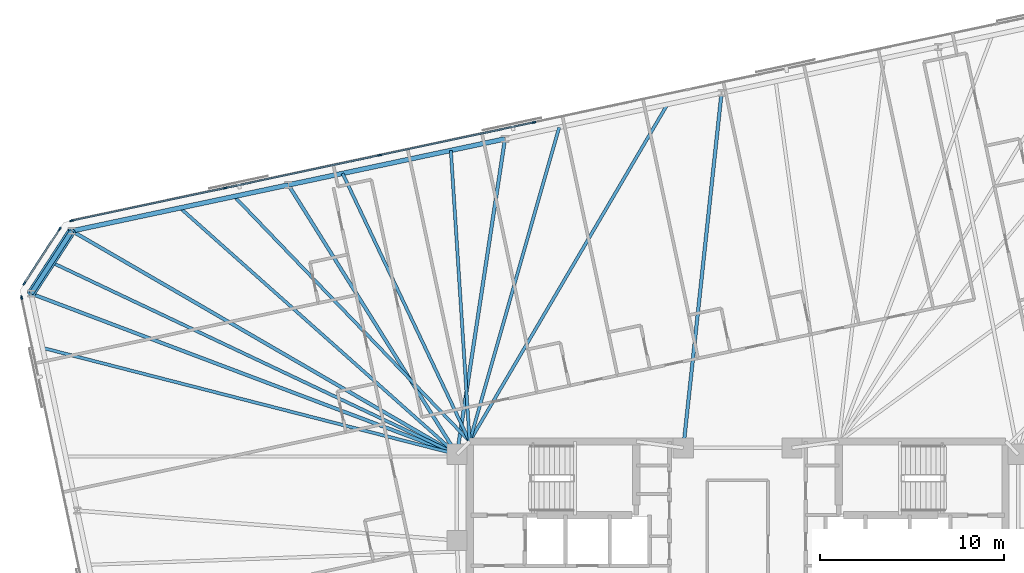
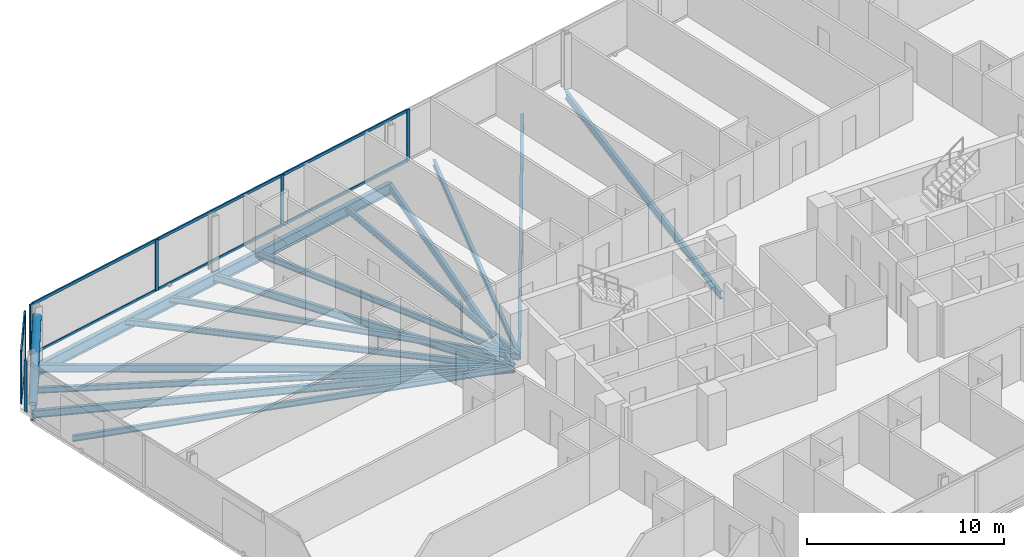
# One storey, part 9 of 21: 16 beams, 16 members, 3 elements without a shape of their own.
"""IFC4 building model written with IfcOpenShell, lengths in metres."""

from ifc_helpers import new_model, si_unit, direction, frame, origin, origin_2d, place, context, subcontext, project, spatial, rectangle, hollow_circle, i_section, extrude, material, material_profile, profile_set, type_object, element, aggregate, save


model = new_model("IFC4")

# Units and contexts
model_context = context("Model", 3, precision=1e-05, world=origin(), true_north=direction((0.0, 1.0)))
body_context = subcontext(model_context, "Body", "Model", "MODEL_VIEW")
ifc_project = project(units=[si_unit("LENGTHUNIT", "METRE"), si_unit("AREAUNIT", "SQUARE_METRE"), si_unit("VOLUMEUNIT", "CUBIC_METRE"), si_unit("PLANEANGLEUNIT", "RADIAN"), si_unit("MASSUNIT", "GRAM", prefix="KILO")], contexts=[model_context])

# Site, building, storey
site_placement = place(None, origin())
site = spatial("IfcSite", under=ifc_project, at=site_placement, CompositionType="ELEMENT")
building_placement = place(site_placement, origin())
building = spatial("IfcBuilding", under=site, at=building_placement, Name="Menara Jurai Vektor", CompositionType="ELEMENT")
storey_placement = place(building_placement, frame((0.0, 0.0, 165.0)))
storey = spatial("IfcBuildingStorey", under=building, at=storey_placement, Name="L42", CompositionType="ELEMENT", Elevation=165.0)

# Curtain wall, members
ifc_material_1 = material(Name="Anodised Pale Aluminium & Low-E Double Glazing", Category="aluminium")
curtain_wall_type = type_object("IfcCurtainWallType", Name="CW-BLK3", PredefinedType="NOTDEFINED", material=ifc_material_1)
curtain_wall_1_placement = place(storey_placement, origin())
curtain_wall_1 = element("IfcCurtainWall", 1, at=curtain_wall_1_placement, inside=storey, type_object=curtain_wall_type, Name="Unitised Curtain Wall L42 F05", PredefinedType="NOTDEFINED")
ifc_material_2 = material(Name="Anodised Pale Aluminium Mullion", Category="aluminium")
ifc_material_profile_1 = material_profile(ifc_material_2, rectangle(XDim=0.0849609375, YDim=0.205078125, at=origin_2d()), Name="ALU MUL 85x205")
ifc_profile_set_1 = profile_set([ifc_material_profile_1], Name="Anodised Pale Aluminium Mullion")
member_type_1 = type_object("IfcMemberType", Name="CW-BLK3-MUL", PredefinedType="MULLION", material=ifc_profile_set_1)
member_1_placement = place(storey_placement, frame((-11.06494140625, 22.9384765625, 0.0), z_axis=(0.0, 0.0, 1.0), x_axis=(0.207911344156, -0.978147674419, 0.0)))
member_1 = element("IfcMember", 2, at=member_1_placement, type_object=member_type_1, Name="CW-03 mullion 5", PredefinedType="MULLION", context=body_context, shape_type="SweptSolid", body=[
    extrude(rectangle(XDim=0.0849609375, YDim=0.205078125, at=origin_2d()), origin(), (0.0, 0.0, 1.0), 3.175048828125),
])
member_2_placement = place(storey_placement, frame((-19.45458984375, 21.1552734375, 0.0), z_axis=(0.0, 0.0, 1.0), x_axis=(0.207911344156, -0.978147674419, 0.0)))
member_2 = element("IfcMember", 3, at=member_2_placement, type_object=member_type_1, Name="CW-03 mullion 6", PredefinedType="MULLION", context=body_context, shape_type="SweptSolid", body=[
    extrude(rectangle(XDim=0.0849609375, YDim=0.205078125, at=origin_2d()), origin(), (0.0, 0.0, 1.0), 3.175048828125),
])
member_3_placement = place(storey_placement, frame((-27.844482421875, 19.3720703125, 0.0), z_axis=(0.0, 0.0, 1.0), x_axis=(0.207911344156, -0.978147674419, 0.0)))
member_3 = element("IfcMember", 4, at=member_3_placement, type_object=member_type_1, Name="CW-03 mullion 7", PredefinedType="MULLION", context=body_context, shape_type="SweptSolid", body=[
    extrude(rectangle(XDim=0.0849609375, YDim=0.205078125, at=origin_2d()), origin(), (0.0, 0.0, 1.0), 3.175048828125),
])
member_4_placement = place(storey_placement, frame((-36.192626953125, 17.59765625, 0.0), z_axis=(0.0, 0.0, 1.0), x_axis=(0.207911344156, -0.978147674419, 0.0)))
member_4 = element("IfcMember", 5, at=member_4_placement, type_object=member_type_1, Name="CW-03 mullion 8", PredefinedType="MULLION", context=body_context, shape_type="SweptSolid", body=[
    extrude(rectangle(XDim=0.0849609375, YDim=0.205078125, at=origin_2d()), origin(), (0.0, 0.0, 1.0), 3.175048828125),
])

curtain_wall_2_placement = place(storey_placement, origin())
curtain_wall_2 = element("IfcCurtainWall", 6, at=curtain_wall_2_placement, inside=storey, type_object=curtain_wall_type, Name="Unitised Curtain Wall L42 F06", PredefinedType="NOTDEFINED")
member_5_placement = place(storey_placement, frame((-36.8359375, 17.1552734375, 0.0), z_axis=(0.0, 0.0, 1.0), x_axis=(0.838684361415, -0.544617794346, 0.0)))
member_5 = element("IfcMember", 7, at=member_5_placement, type_object=member_type_1, Name="CW-03 mullion 1", PredefinedType="MULLION", context=body_context, shape_type="SweptSolid", body=[
    extrude(rectangle(XDim=0.0849609375, YDim=0.205078125, at=origin_2d()), origin(), (0.0, 0.0, 1.0), 3.175048828125),
])
member_6_placement = place(storey_placement, frame((-38.763427734375, 14.187255859375, 0.0), z_axis=(0.0, 0.0, 1.0), x_axis=(0.838684361415, -0.544617794346, 0.0)))
member_6 = element("IfcMember", 8, at=member_6_placement, type_object=member_type_1, Name="CW-03 mullion 2", PredefinedType="MULLION", context=body_context, shape_type="SweptSolid", body=[
    extrude(rectangle(XDim=0.0849609375, YDim=0.205078125, at=origin_2d()), origin(), (0.0, 0.0, 1.0), 3.175048828125),
])

# Curtain wall, member
curtain_wall_3_placement = place(storey_placement, origin())
curtain_wall_3 = element("IfcCurtainWall", 9, at=curtain_wall_3_placement, inside=storey, type_object=curtain_wall_type, Name="Unitised Curtain Wall L42 F07", PredefinedType="NOTDEFINED")
member_7_placement = place(storey_placement, frame((-38.90576171875, 13.419677734375, 0.0), z_axis=(0.0, 0.0, 1.0), x_axis=(0.978147883949, 0.20791035839, 0.0)))
member_7 = element("IfcMember", 10, at=member_7_placement, type_object=member_type_1, Name="CW-03 mullion 1", PredefinedType="MULLION", context=body_context, shape_type="SweptSolid", body=[
    extrude(rectangle(XDim=0.0849609375, YDim=0.205078125, at=origin_2d()), origin(), (0.0, 0.0, 1.0), 3.175048828125),
])
aggregate(curtain_wall_3, [member_7])

# Member
ifc_material_3 = material(Name="Anodised Pale Aluminium Transom", Category="aluminium")
ifc_material_profile_2 = material_profile(ifc_material_3, rectangle(XDim=0.0849609375, YDim=0.175048828125, at=origin_2d()), Name="ALU TRN 85x175")
ifc_profile_set_2 = profile_set([ifc_material_profile_2], Name="Anodised Pale Aluminium Transom")
member_type_2 = type_object("IfcMemberType", Name="CW-BLK3-TRN", PredefinedType="USERDEFINED", material=ifc_profile_set_2)
member_8_placement = place(storey_placement, frame((-11.1064453125, 22.9296875, 0.04248046875), z_axis=(-0.978147743708, -0.207911018178, 0.0), x_axis=(0.207911018178, -0.978147743708, 0.0)))
member_8 = element("IfcMember", 11, at=member_8_placement, type_object=member_type_2, Name="CW-03 transom 5.1", ObjectType="TRANSOM", PredefinedType="USERDEFINED", context=body_context, shape_type="SweptSolid", body=[
    extrude(rectangle(XDim=0.0849609375, YDim=0.175048828125, at=origin_2d()), origin(), (0.0, 0.0, 1.0), 8.4921875),
])

member_9_placement = place(storey_placement, frame((-11.1064453125, 22.9296875, 3.132568359375), z_axis=(-0.978147743708, -0.207911018178, 0.0), x_axis=(0.207911018178, -0.978147743708, 0.0)))
member_9 = element("IfcMember", 12, at=member_9_placement, type_object=member_type_2, Name="CW-03 transom 5.2", ObjectType="TRANSOM", PredefinedType="USERDEFINED", context=body_context, shape_type="SweptSolid", body=[
    extrude(rectangle(XDim=0.0849609375, YDim=0.175048828125, at=origin_2d()), origin(), (0.0, 0.0, 1.0), 8.4921875),
])

member_10_placement = place(storey_placement, frame((-19.496337890625, 21.146484375, 0.04248046875), z_axis=(-0.978146500933, -0.207916864907, 0.0), x_axis=(0.207916864907, -0.978146500933, 0.0)))
member_10 = element("IfcMember", 13, at=member_10_placement, type_object=member_type_2, Name="CW-03 transom 6.1", ObjectType="TRANSOM", PredefinedType="USERDEFINED", context=body_context, shape_type="SweptSolid", body=[
    extrude(rectangle(XDim=0.0849609375, YDim=0.175048828125, at=origin_2d()), origin(), (0.0, 0.0, 1.0), 8.491943359375),
])

member_11_placement = place(storey_placement, frame((-19.496337890625, 21.146484375, 3.132568359375), z_axis=(-0.978146500933, -0.207916864907, 0.0), x_axis=(0.207916864907, -0.978146500933, 0.0)))
member_11 = element("IfcMember", 14, at=member_11_placement, type_object=member_type_2, Name="CW-03 transom 6.2", ObjectType="TRANSOM", PredefinedType="USERDEFINED", context=body_context, shape_type="SweptSolid", body=[
    extrude(rectangle(XDim=0.0849609375, YDim=0.175048828125, at=origin_2d()), origin(), (0.0, 0.0, 1.0), 8.491943359375),
])

member_12_placement = place(storey_placement, frame((-27.885986328125, 19.363037109375, 0.04248046875), z_axis=(-0.978151580361, -0.207892967261, 0.0), x_axis=(0.207892967261, -0.978151580361, 0.0)))
member_12 = element("IfcMember", 15, at=member_12_placement, type_object=member_type_2, Name="CW-03 transom 7.1", ObjectType="TRANSOM", PredefinedType="USERDEFINED", context=body_context, shape_type="SweptSolid", body=[
    extrude(rectangle(XDim=0.0849609375, YDim=0.175048828125, at=origin_2d()), origin(), (0.0, 0.0, 1.0), 8.449462890625),
])

member_13_placement = place(storey_placement, frame((-27.885986328125, 19.363037109375, 3.132568359375), z_axis=(-0.978151580361, -0.207892967261, 0.0), x_axis=(0.207892967261, -0.978151580361, 0.0)))
member_13 = element("IfcMember", 16, at=member_13_placement, type_object=member_type_2, Name="CW-03 transom 7.2", ObjectType="TRANSOM", PredefinedType="USERDEFINED", context=body_context, shape_type="SweptSolid", body=[
    extrude(rectangle(XDim=0.0849609375, YDim=0.175048828125, at=origin_2d()), origin(), (0.0, 0.0, 1.0), 8.449462890625),
])

aggregate(curtain_wall_1, [member_1, member_2, member_3, member_4, member_8, member_9, member_10, member_11, member_12, member_13])

member_14_placement = place(storey_placement, frame((-36.859130859375, 17.11962890625, 0.04248046875), z_axis=(-0.54462804274, -0.83867770631, 0.0), x_axis=(0.83867770631, -0.54462804274, 0.0)))
member_14 = element("IfcMember", 17, at=member_14_placement, type_object=member_type_2, Name="CW-03 transom 1.1", ObjectType="TRANSOM", PredefinedType="USERDEFINED", context=body_context, shape_type="SweptSolid", body=[
    extrude(rectangle(XDim=0.0849609375, YDim=0.175048828125, at=origin_2d()), origin(), (0.0, 0.0, 1.0), 3.453857421875),
])

member_15_placement = place(storey_placement, frame((-36.859130859375, 17.11962890625, 3.132568359375), z_axis=(-0.54462804274, -0.83867770631, 0.0), x_axis=(0.83867770631, -0.54462804274, 0.0)))
member_15 = element("IfcMember", 18, at=member_15_placement, type_object=member_type_2, Name="CW-03 transom 1.2", ObjectType="TRANSOM", PredefinedType="USERDEFINED", context=body_context, shape_type="SweptSolid", body=[
    extrude(rectangle(XDim=0.0849609375, YDim=0.175048828125, at=origin_2d()), origin(), (0.0, 0.0, 1.0), 3.453857421875),
])

aggregate(curtain_wall_2, [member_5, member_6, member_14, member_15])

# Beams
ifc_material_4 = material(Name="Steel S355", Category="steel")
ifc_material_profile_3 = material_profile(ifc_material_4, i_section(OverallWidth=0.19091796875, OverallDepth=0.4599609375, WebThickness=0.010009765625, FlangeThickness=0.01611328125, FilletRadius=0.010009765625, at=origin_2d()), Name="UKB 457x191x82")
ifc_profile_set_3 = profile_set([ifc_material_profile_3], Name="Steel S355")
beam_type_1 = type_object("IfcBeamType", Name="STR-BM-457", PredefinedType="BEAM", material=ifc_profile_set_3)
beam_1_placement = place(storey_placement, frame((-0.87158203125, 24.54296875, -0.455078125), z_axis=(-0.107107067506, -0.994247492373, 0.0), x_axis=(0.994247492373, -0.107107067506, 0.0)))
element("IfcBeam", 19, at=beam_1_placement, inside=storey, type_object=beam_type_1, Name="Radial Floor Girder L42-N3", PredefinedType="BEAM", context=body_context, shape_type="SweptSolid", body=[
    extrude(i_section(OverallWidth=0.19091796875, OverallDepth=0.4599609375, WebThickness=0.010009765625, FlangeThickness=0.01611328125, FilletRadius=0.010009765625, at=origin_2d()), origin(), (0.0, 0.0, 1.0), 19.404541015625),
])
beam_2_placement = place(storey_placement, frame((-12.639892578125, 22.04150390625, -0.455078125), z_axis=(-0.150532344322, -0.988605084608, 0.0), x_axis=(0.988605084608, -0.150532344322, 0.0)))
element("IfcBeam", 20, at=beam_2_placement, inside=storey, type_object=beam_type_1, Name="Radial Floor Girder L42-N4", PredefinedType="BEAM", context=body_context, shape_type="SweptSolid", body=[
    extrude(i_section(OverallWidth=0.19091796875, OverallDepth=0.4599609375, WebThickness=0.010009765625, FlangeThickness=0.01611328125, FilletRadius=0.010009765625, at=origin_2d()), origin(), (0.0, 0.0, 1.0), 17.339111328125),
])
beam_3_placement = place(storey_placement, frame((-24.408203125, 19.5400390625, -0.455078125), z_axis=(0.53033693414, -0.847786963976, 0.0), x_axis=(0.847786963976, 0.53033693414, 0.0)))
element("IfcBeam", 21, at=beam_3_placement, inside=storey, type_object=beam_type_1, Name="Radial Floor Girder L42-N5", PredefinedType="BEAM", context=body_context, shape_type="SweptSolid", body=[
    extrude(i_section(OverallWidth=0.19091796875, OverallDepth=0.4599609375, WebThickness=0.010009765625, FlangeThickness=0.01611328125, FilletRadius=0.010009765625, at=origin_2d()), origin(), (0.0, 0.0, 1.0), 17.2685546875),
])
beam_4_placement = place(storey_placement, frame((-36.17626953125, 17.038818359375, -0.455078125), z_axis=(0.86500105453, -0.50177004261, 0.0), x_axis=(0.50177004261, 0.86500105453, 0.0)))
element("IfcBeam", 22, at=beam_4_placement, inside=storey, type_object=beam_type_1, Name="Radial Floor Girder L42-N6", PredefinedType="BEAM", context=body_context, shape_type="SweptSolid", body=[
    extrude(i_section(OverallWidth=0.19091796875, OverallDepth=0.4599609375, WebThickness=0.010009765625, FlangeThickness=0.01611328125, FilletRadius=0.010009765625, at=origin_2d()), origin(), (0.0, 0.0, 1.0), 24.192138671875),
])
beam_5_placement = place(storey_placement, frame((-38.388671875, 13.632080078125, -0.455078125), z_axis=(0.935593658977, -0.353078610626, 0.0), x_axis=(0.353078610626, 0.935593658977, 0.0)))
element("IfcBeam", 23, at=beam_5_placement, inside=storey, type_object=beam_type_1, Name="Radial Floor Girder L42-W1", PredefinedType="BEAM", context=body_context, shape_type="SweptSolid", body=[
    extrude(i_section(OverallWidth=0.19091796875, OverallDepth=0.4599609375, WebThickness=0.010009765625, FlangeThickness=0.01611328125, FilletRadius=0.010009765625, at=origin_2d()), origin(), (0.0, 0.0, 1.0), 24.7314453125),
])

# Member
ifc_material_5 = material(Name="Steel S460", Category="steel")
ifc_material_profile_4 = material_profile(ifc_material_5, hollow_circle(Radius=0.228515625, WallThickness=0.01611328125, at=origin_2d()), Name="CHS 457x16")
ifc_profile_set_4 = profile_set([ifc_material_profile_4], Name="Steel S460")
member_type_3 = type_object("IfcMemberType", Name="STR-BR-457", PredefinedType="BRACE", material=ifc_profile_set_4)
member_16_placement = place(storey_placement, frame((-38.388671875, 13.632080078125, 0.14990234375), z_axis=(0.454887866849, 0.700402825662, 0.5500117366), x_axis=(-0.838648168484, 0.544673525608, 0.0)))
element("IfcMember", 24, at=member_16_placement, inside=storey, type_object=member_type_3, Name="Exoskeleton Corner Brace L42-3", PredefinedType="BRACE", context=body_context, shape_type="SweptSolid", body=[
    extrude(hollow_circle(Radius=0.228515625, WallThickness=0.01611328125, at=origin_2d()), origin(), (0.0, 0.0, 1.0), 4.863525390625),
])

# Beams
ifc_material_profile_5 = material_profile(ifc_material_4, i_section(OverallWidth=0.172119140625, OverallDepth=0.35498046875, WebThickness=0.007080078125, FlangeThickness=0.011962890625, FilletRadius=0.010009765625, at=origin_2d()), Name="UKB 356x171x51")
ifc_profile_set_5 = profile_set([ifc_material_profile_5], Name="Steel S355")
beam_type_2 = type_object("IfcBeamType", Name="STR-JS-356", PredefinedType="JOIST", material=ifc_profile_set_5)
beam_6_placement = place(storey_placement, frame((-3.813720703125, 23.91748046875, -0.402587890625), z_axis=(-0.506019514775, -0.862522029091, 0.0), x_axis=(0.862522029091, -0.506019514775, 0.0)))
element("IfcBeam", 25, at=beam_6_placement, inside=storey, type_object=beam_type_2, Name="Radial Secondary Floor Joist L42-JS22", PredefinedType="JOIST", context=body_context, shape_type="SweptSolid", body=[
    extrude(i_section(OverallWidth=0.172119140625, OverallDepth=0.35498046875, WebThickness=0.007080078125, FlangeThickness=0.011962890625, FilletRadius=0.010009765625, at=origin_2d()), origin(), (0.0, 0.0, 1.0), 21.237060546875),
])
beam_7_placement = place(storey_placement, frame((-9.69775390625, 22.666748046875, -0.402587890625), z_axis=(-0.273997863708, -0.961730300387, 0.0), x_axis=(0.961730300387, -0.273997863708, 0.0)))
element("IfcBeam", 26, at=beam_7_placement, inside=storey, type_object=beam_type_2, Name="Radial Secondary Floor Joist L42-JS23", PredefinedType="JOIST", context=body_context, shape_type="SweptSolid", body=[
    extrude(i_section(OverallWidth=0.172119140625, OverallDepth=0.35498046875, WebThickness=0.007080078125, FlangeThickness=0.011962890625, FilletRadius=0.010009765625, at=origin_2d()), origin(), (0.0, 0.0, 1.0), 17.745849609375),
])
beam_8_placement = place(storey_placement, frame((-15.581787109375, 21.416015625, -0.402587890625), z_axis=(0.064466897528, -0.997919846041, 0.0), x_axis=(0.997919846041, 0.064466897528, 0.0)))
element("IfcBeam", 27, at=beam_8_placement, inside=storey, type_object=beam_type_2, Name="Radial Secondary Floor Joist L42-JS24", PredefinedType="JOIST", context=body_context, shape_type="SweptSolid", body=[
    extrude(i_section(OverallWidth=0.172119140625, OverallDepth=0.35498046875, WebThickness=0.007080078125, FlangeThickness=0.011962890625, FilletRadius=0.010009765625, at=origin_2d()), origin(), (0.0, 0.0, 1.0), 15.848876953125),
])
beam_9_placement = place(storey_placement, frame((-21.466064453125, 20.165283203125, -0.402587890625), z_axis=(0.428426167333, -0.903576792057, 0.0), x_axis=(0.903576792057, 0.428426167333, 0.0)))
element("IfcBeam", 28, at=beam_9_placement, inside=storey, type_object=beam_type_2, Name="Radial Secondary Floor Joist L42-JS25", PredefinedType="JOIST", context=body_context, shape_type="SweptSolid", body=[
    extrude(i_section(OverallWidth=0.172119140625, OverallDepth=0.35498046875, WebThickness=0.007080078125, FlangeThickness=0.011962890625, FilletRadius=0.010009765625, at=origin_2d()), origin(), (0.0, 0.0, 1.0), 16.119384765625),
])
beam_10_placement = place(storey_placement, frame((-27.35009765625, 18.914794921875, -0.402587890625), z_axis=(0.692755307066, -0.721172714772, 0.0), x_axis=(0.721172714772, 0.692755307066, 0.0)))
element("IfcBeam", 29, at=beam_10_placement, inside=storey, type_object=beam_type_2, Name="Radial Secondary Floor Joist L42-JS26", PredefinedType="JOIST", context=body_context, shape_type="SweptSolid", body=[
    extrude(i_section(OverallWidth=0.172119140625, OverallDepth=0.35498046875, WebThickness=0.007080078125, FlangeThickness=0.011962890625, FilletRadius=0.010009765625, at=origin_2d()), origin(), (0.0, 0.0, 1.0), 18.462646484375),
])
beam_11_placement = place(storey_placement, frame((-30.292236328125, 18.289306640625, -0.402587890625), z_axis=(0.746952302948, -0.664877625673, 0.0), x_axis=(0.664877625673, 0.746952302948, 0.0)))
element("IfcBeam", 30, at=beam_11_placement, inside=storey, type_object=beam_type_2, Name="Radial Secondary Floor Joist L42-JS27", PredefinedType="JOIST", context=body_context, shape_type="SweptSolid", body=[
    extrude(i_section(OverallWidth=0.172119140625, OverallDepth=0.35498046875, WebThickness=0.007080078125, FlangeThickness=0.011962890625, FilletRadius=0.010009765625, at=origin_2d()), origin(), (0.0, 0.0, 1.0), 20.13818359375),
])
beam_12_placement = place(storey_placement, frame((-37.282470703125, 15.33544921875, -0.402587890625), z_axis=(0.903751908448, -0.428056641085, 0.0), x_axis=(0.428056641085, 0.903751908448, 0.0)))
element("IfcBeam", 31, at=beam_12_placement, inside=storey, type_object=beam_type_2, Name="Radial Secondary Floor Joist L42-JS28", PredefinedType="JOIST", context=body_context, shape_type="SweptSolid", body=[
    extrude(i_section(OverallWidth=0.172119140625, OverallDepth=0.35498046875, WebThickness=0.007080078125, FlangeThickness=0.011962890625, FilletRadius=0.010009765625, at=origin_2d()), origin(), (0.0, 0.0, 1.0), 24.37890625),
])
beam_13_placement = place(storey_placement, frame((-37.76220703125, 10.68505859375, -0.402587890625), z_axis=(0.968531283953, -0.248891848005, 0.0), x_axis=(0.248891848005, 0.968531283953, 0.0)))
element("IfcBeam", 32, at=beam_13_placement, inside=storey, type_object=beam_type_2, Name="Radial Secondary Floor Joist L42-JS29", PredefinedType="JOIST", context=body_context, shape_type="SweptSolid", body=[
    extrude(i_section(OverallWidth=0.172119140625, OverallDepth=0.35498046875, WebThickness=0.007080078125, FlangeThickness=0.011962890625, FilletRadius=0.010009765625, at=origin_2d()), origin(), (0.0, 0.0, 1.0), 23.24365234375),
])
ifc_material_profile_6 = material_profile(ifc_material_5, i_section(OverallWidth=0.256103515625, OverallDepth=0.693115234375, WebThickness=0.013916015625, FlangeThickness=0.02392578125, FilletRadius=0.014892578125, at=origin_2d()), Name="UKB 686x254x170")
ifc_profile_set_6 = profile_set([ifc_material_profile_6], Name="Steel S460")
beam_type_3 = type_object("IfcBeamType", Name="STR-SP-686", PredefinedType="SPANDREL", material=ifc_profile_set_6)
beam_14_placement = place(storey_placement, frame((-12.639892578125, 22.04150390625, -0.571533203125), z_axis=(-0.978147039247, -0.207914332389, 0.0), x_axis=(0.207914332389, -0.978147039247, 0.0)))
element("IfcBeam", 33, at=beam_14_placement, inside=storey, type_object=beam_type_3, Name="Exoskeleton Spandrel Beam L42-14", PredefinedType="SPANDREL", context=body_context, shape_type="SweptSolid", body=[
    extrude(i_section(OverallWidth=0.256103515625, OverallDepth=0.693115234375, WebThickness=0.013916015625, FlangeThickness=0.02392578125, FilletRadius=0.014892578125, at=origin_2d()), origin(), (0.0, 0.0, 1.0), 12.03125),
])
beam_15_placement = place(storey_placement, frame((-24.408203125, 19.5400390625, -0.571533203125), z_axis=(-0.978150288855, -0.207899043801, 0.0), x_axis=(0.207899043801, -0.978150288855, 0.0)))
element("IfcBeam", 34, at=beam_15_placement, inside=storey, type_object=beam_type_3, Name="Exoskeleton Spandrel Beam L42-15", PredefinedType="SPANDREL", context=body_context, shape_type="SweptSolid", body=[
    extrude(i_section(OverallWidth=0.256103515625, OverallDepth=0.693115234375, WebThickness=0.013916015625, FlangeThickness=0.02392578125, FilletRadius=0.014892578125, at=origin_2d()), origin(), (0.0, 0.0, 1.0), 12.031005859375),
])
beam_16_placement = place(storey_placement, frame((-36.17626953125, 17.038818359375, -0.571533203125), z_axis=(-0.544646071268, -0.838665998507, 0.0), x_axis=(0.838665998507, -0.544646071268, 0.0)))
element("IfcBeam", 35, at=beam_16_placement, inside=storey, type_object=beam_type_3, Name="Exoskeleton Spandrel Beam L42-16", PredefinedType="SPANDREL", context=body_context, shape_type="SweptSolid", body=[
    extrude(i_section(OverallWidth=0.256103515625, OverallDepth=0.693115234375, WebThickness=0.013916015625, FlangeThickness=0.02392578125, FilletRadius=0.014892578125, at=origin_2d()), origin(), (0.0, 0.0, 1.0), 4.06201171875),
])

save(model, "model.ifc")
